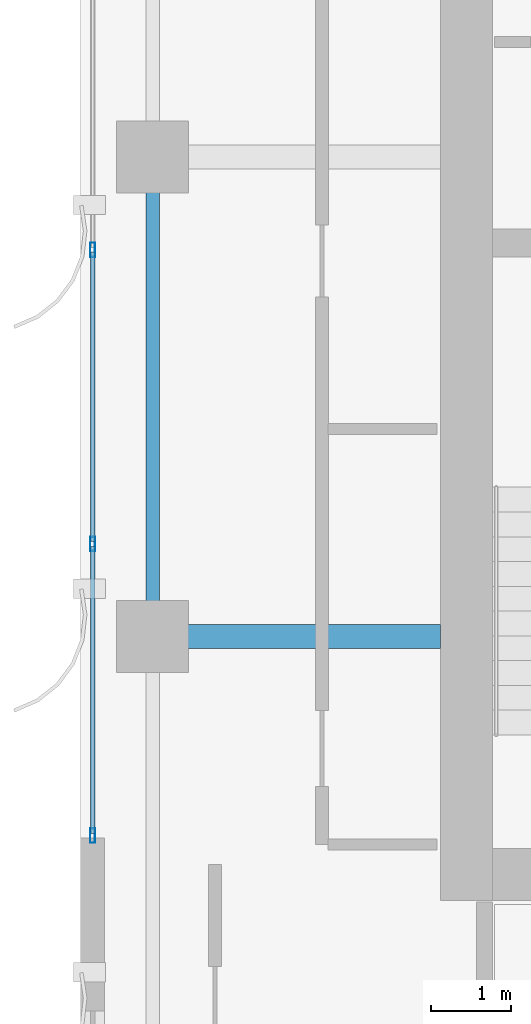
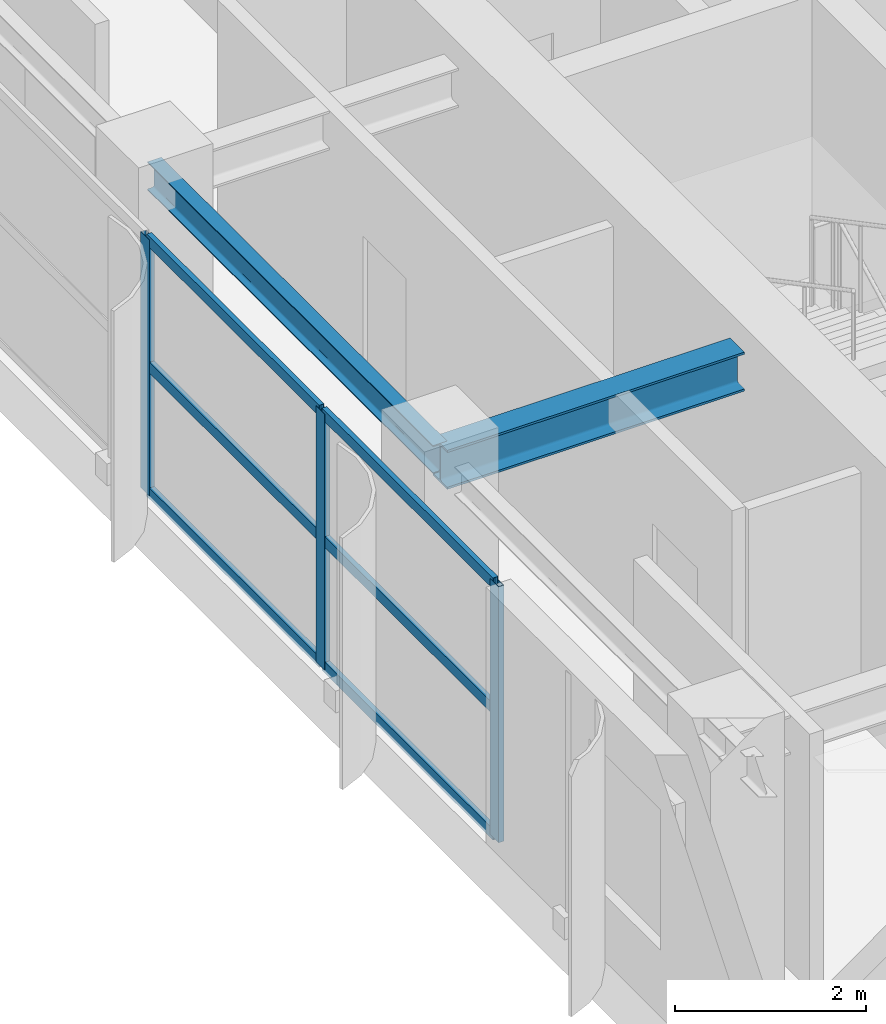
# One storey, part 7 of 25: 9 members, 2 beams, 1 element without a shape of its own.
"""IFC4 building model written with IfcOpenShell, lengths in metres."""

from ifc_helpers import new_model, si_unit, direction, frame, origin, origin_2d, place, context, subcontext, project, spatial, hollow_rectangle, i_section, extrude, source, transform, mapped, material, layer, layer_set, material_profile, profile_set, type_object, element, aggregate, save


model = new_model("IFC4")

# Units and contexts
model_context = context("Model", 3, precision=1e-05, world=origin(), true_north=direction((0.0, 1.0)))
body_context = subcontext(model_context, "Body", "Model", "MODEL_VIEW")
ifc_project = project(units=[si_unit("LENGTHUNIT", "METRE"), si_unit("AREAUNIT", "SQUARE_METRE"), si_unit("VOLUMEUNIT", "CUBIC_METRE"), si_unit("PLANEANGLEUNIT", "RADIAN"), si_unit("MASSUNIT", "GRAM", prefix="KILO")], contexts=[model_context])

# Site, building, storey
site_placement = place(None, origin())
site = spatial("IfcSite", under=ifc_project, at=site_placement, CompositionType="ELEMENT")
building_placement = place(site_placement, origin())
building = spatial("IfcBuilding", under=site, at=building_placement, Name="Khoralis Quay Care Tower", CompositionType="ELEMENT")
storey_placement = place(building_placement, frame((0.0, 0.0, 216.89990234375)))
storey = spatial("IfcBuildingStorey", under=building, at=storey_placement, Name="L57", CompositionType="ELEMENT", Elevation=216.89990234375)

# Beams
ifc_material_1 = material(Name="Steel S355", Category="steel")
ifc_material_profile_1 = material_profile(ifc_material_1, i_section(OverallWidth=0.169921875, OverallDepth=0.360107421875, WebThickness=0.008056640625, FlangeThickness=0.0126953125, FilletRadius=0.01806640625, at=origin_2d()), Name="Steel S355")
ifc_profile_set_1 = profile_set([ifc_material_profile_1], Name="Steel S355")
beam_type_1 = type_object("IfcBeamType", Name="BM-IPE360", PredefinedType="SPANDREL", material=ifc_profile_set_1)
shared_shape_1 = source(origin(), body_context, "Body", "SweptSolid", [
    extrude(i_section(OverallWidth=0.169921875, OverallDepth=0.360107421875, WebThickness=0.008056640625, FlangeThickness=0.0126953125, FilletRadius=0.01806640625, at=origin_2d()), origin(), (0.0, 0.0, 1.0), 6.0),
])
beam_1_placement = place(storey_placement, frame((3.89990234375, 18.0, 3.10009765625), z_axis=(0.0, 1.0, 0.0), x_axis=(-1.0, 0.0, 0.0)))
element("IfcBeam", 1, at=beam_1_placement, inside=storey, type_object=beam_type_1, Name="BM-TSP-L57-09", PredefinedType="SPANDREL", context=body_context, shape_type="MappedRepresentation", body=[
    mapped(shared_shape_1, transform((0.0, 0.0, 0.0), scale=1.0)),
])
ifc_material_profile_2 = material_profile(ifc_material_1, i_section(OverallWidth=0.300048828125, OverallDepth=0.5, WebThickness=0.014404296875, FlangeThickness=0.028076171875, FilletRadius=0.027099609375, at=origin_2d()), Name="Steel S355")
ifc_profile_set_2 = profile_set([ifc_material_profile_2], Name="Steel S355")
beam_type_2 = type_object("IfcBeamType", Name="BM-HEB500", PredefinedType="BEAM", material=ifc_profile_set_2)
shared_shape_2 = source(origin(), body_context, "Body", "SweptSolid", [
    extrude(i_section(OverallWidth=0.300048828125, OverallDepth=0.5, WebThickness=0.014404296875, FlangeThickness=0.028076171875, FilletRadius=0.027099609375, at=origin_2d()), origin(), (0.0, 0.0, 1.0), 3.60205078125),
])
beam_2_placement = place(storey_placement, frame((3.89990234375, 18.0, 3.030029296875), z_axis=(1.0, 0.0, 0.0), x_axis=(0.0, 1.0, 0.0)))
element("IfcBeam", 2, at=beam_2_placement, inside=storey, type_object=beam_type_2, Name="BM-TGXW-L57-180", PredefinedType="BEAM", context=body_context, shape_type="MappedRepresentation", body=[
    mapped(shared_shape_2, transform((0.0, 0.0, 0.0), scale=1.0)),
])

# Curtain wall, members
ifc_material_2 = material(Name="Pale anodised aluminium", Category="aluminium")
ifc_layer = layer(ifc_material_2, 0.159912109375)
ifc_layer_set = layer_set([ifc_layer], Name="Pale anodised aluminium")
curtain_wall_type = type_object("IfcCurtainWallType", Name="CW-SYS-Z3", PredefinedType="NOTDEFINED", material=ifc_layer_set)
curtain_wall_placement = place(storey_placement, origin())
curtain_wall = element("IfcCurtainWall", 3, at=curtain_wall_placement, inside=storey, type_object=curtain_wall_type, Name="L57 Unitised Curtain Wall CW-L57-P1-E15", PredefinedType="NOTDEFINED")
ifc_material_profile_3 = material_profile(ifc_material_2, hollow_rectangle(XDim=0.06494140625, YDim=0.179931640625, WallThickness=0.00390625, at=origin_2d()), Name="Pale anodised aluminium")
ifc_profile_set_3 = profile_set([ifc_material_profile_3], Name="Pale anodised aluminium")
member_type_1 = type_object("IfcMemberType", Name="CW-MUL-180", PredefinedType="MULLION", material=ifc_profile_set_3)
shared_shape_3 = source(origin(), body_context, "Body", "SweptSolid", [
    extrude(hollow_rectangle(XDim=0.06494140625, YDim=0.179931640625, WallThickness=0.00390625, at=origin_2d()), origin(), (0.0, 0.0, 1.0), 3.280029296875),
])
member_1_placement = place(storey_placement, frame((3.14990234375, 22.840087890625, 0.0), z_axis=(0.0, 0.0, 1.0), x_axis=(1.0, 0.0, 0.0)))
member_1 = element("IfcMember", 4, at=member_1_placement, type_object=member_type_1, Name="CW3 mullion 2", PredefinedType="MULLION", context=body_context, shape_type="MappedRepresentation", body=[
    mapped(shared_shape_3, transform((0.0, 0.0, 0.0), scale=1.0)),
])
member_2_placement = place(storey_placement, frame((3.14990234375, 19.159912109375, 0.0), z_axis=(0.0, 0.0, 1.0), x_axis=(1.0, 0.0, 0.0)))
member_2 = element("IfcMember", 5, at=member_2_placement, type_object=member_type_1, Name="CW3 mullion 3", PredefinedType="MULLION", context=body_context, shape_type="MappedRepresentation", body=[
    mapped(shared_shape_3, transform((0.0, 0.0, 0.0), scale=1.0)),
])
member_3_placement = place(storey_placement, frame((3.14990234375, 15.510009765625, 0.0), z_axis=(0.0, 0.0, 1.0), x_axis=(1.0, 0.0, 0.0)))
member_3 = element("IfcMember", 6, at=member_3_placement, type_object=member_type_1, Name="CW3 mullion 4", PredefinedType="MULLION", context=body_context, shape_type="MappedRepresentation", body=[
    mapped(shared_shape_3, transform((0.0, 0.0, 0.0), scale=1.0)),
])
ifc_material_profile_4 = material_profile(ifc_material_2, hollow_rectangle(XDim=0.06005859375, YDim=0.139892578125, WallThickness=0.00390625, at=origin_2d()), Name="Pale anodised aluminium")
ifc_profile_set_4 = profile_set([ifc_material_profile_4], Name="Pale anodised aluminium")
member_type_2 = type_object("IfcMemberType", Name="CW-TRN-140", PredefinedType="USERDEFINED", material=ifc_profile_set_4)
shared_shape_4 = source(origin(), body_context, "Body", "SweptSolid", [
    extrude(hollow_rectangle(XDim=0.06005859375, YDim=0.139892578125, WallThickness=0.00390625, at=origin_2d()), origin(), (0.0, 0.0, 1.0), 3.58984375),
])
member_4_placement = place(storey_placement, frame((3.14990234375, 19.1298828125, 0.030029296875), z_axis=(0.0, -1.0, 0.0), x_axis=(1.0, 0.0, 0.0)))
member_4 = element("IfcMember", 7, at=member_4_placement, type_object=member_type_2, Name="CW3 transom 3.1", ObjectType="TRANSOM", PredefinedType="USERDEFINED", context=body_context, shape_type="MappedRepresentation", body=[
    mapped(shared_shape_4, transform((0.0, 0.0, 0.0), scale=1.0)),
])
member_5_placement = place(storey_placement, frame((3.14990234375, 19.1298828125, 1.64013671875), z_axis=(0.0, -1.0, 0.0), x_axis=(1.0, 0.0, 0.0)))
member_5 = element("IfcMember", 8, at=member_5_placement, type_object=member_type_2, Name="CW3 transom 3.2", ObjectType="TRANSOM", PredefinedType="USERDEFINED", context=body_context, shape_type="MappedRepresentation", body=[
    mapped(shared_shape_4, transform((0.0, 0.0, 0.0), scale=1.0)),
])
member_6_placement = place(storey_placement, frame((3.14990234375, 19.1298828125, 3.25), z_axis=(0.0, -1.0, 0.0), x_axis=(1.0, 0.0, 0.0)))
member_6 = element("IfcMember", 9, at=member_6_placement, type_object=member_type_2, Name="CW3 transom 3.3", ObjectType="TRANSOM", PredefinedType="USERDEFINED", context=body_context, shape_type="MappedRepresentation", body=[
    mapped(shared_shape_4, transform((0.0, 0.0, 0.0), scale=1.0)),
])
shared_shape_5 = source(origin(), body_context, "Body", "SweptSolid", [
    extrude(hollow_rectangle(XDim=0.06005859375, YDim=0.139892578125, WallThickness=0.00390625, at=origin_2d()), origin(), (0.0, 0.0, 1.0), 3.6201171875),
])
member_7_placement = place(storey_placement, frame((3.14990234375, 22.81005859375, 0.030029296875), z_axis=(0.0, -1.0, 0.0), x_axis=(1.0, 0.0, 0.0)))
member_7 = element("IfcMember", 10, at=member_7_placement, type_object=member_type_2, Name="CW3 transom 2.1", ObjectType="TRANSOM", PredefinedType="USERDEFINED", context=body_context, shape_type="MappedRepresentation", body=[
    mapped(shared_shape_5, transform((0.0, 0.0, 0.0), scale=1.0)),
])
member_8_placement = place(storey_placement, frame((3.14990234375, 22.81005859375, 1.64013671875), z_axis=(0.0, -1.0, 0.0), x_axis=(1.0, 0.0, 0.0)))
member_8 = element("IfcMember", 11, at=member_8_placement, type_object=member_type_2, Name="CW3 transom 2.2", ObjectType="TRANSOM", PredefinedType="USERDEFINED", context=body_context, shape_type="MappedRepresentation", body=[
    mapped(shared_shape_5, transform((0.0, 0.0, 0.0), scale=1.0)),
])
member_9_placement = place(storey_placement, frame((3.14990234375, 22.81005859375, 3.25), z_axis=(0.0, -1.0, 0.0), x_axis=(1.0, 0.0, 0.0)))
member_9 = element("IfcMember", 12, at=member_9_placement, type_object=member_type_2, Name="CW3 transom 2.3", ObjectType="TRANSOM", PredefinedType="USERDEFINED", context=body_context, shape_type="MappedRepresentation", body=[
    mapped(shared_shape_5, transform((0.0, 0.0, 0.0), scale=1.0)),
])
aggregate(curtain_wall, [member_1, member_2, member_3, member_7, member_8, member_9, member_4, member_5, member_6])

save(model, "model.ifc")
